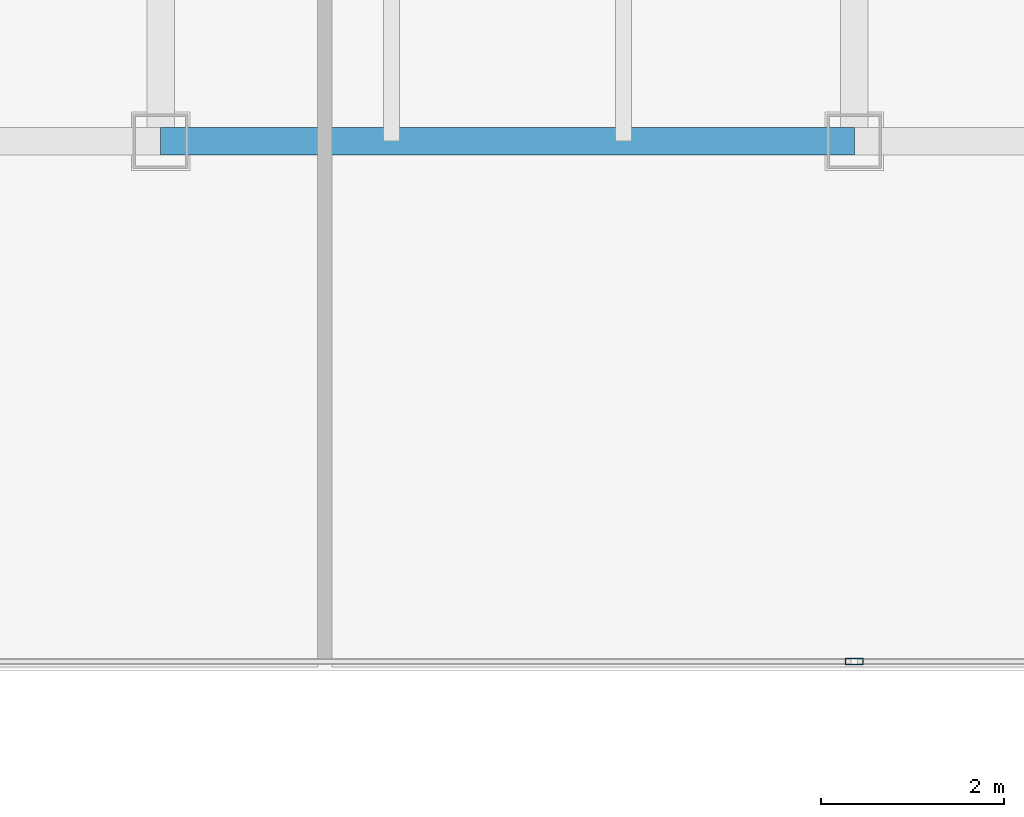
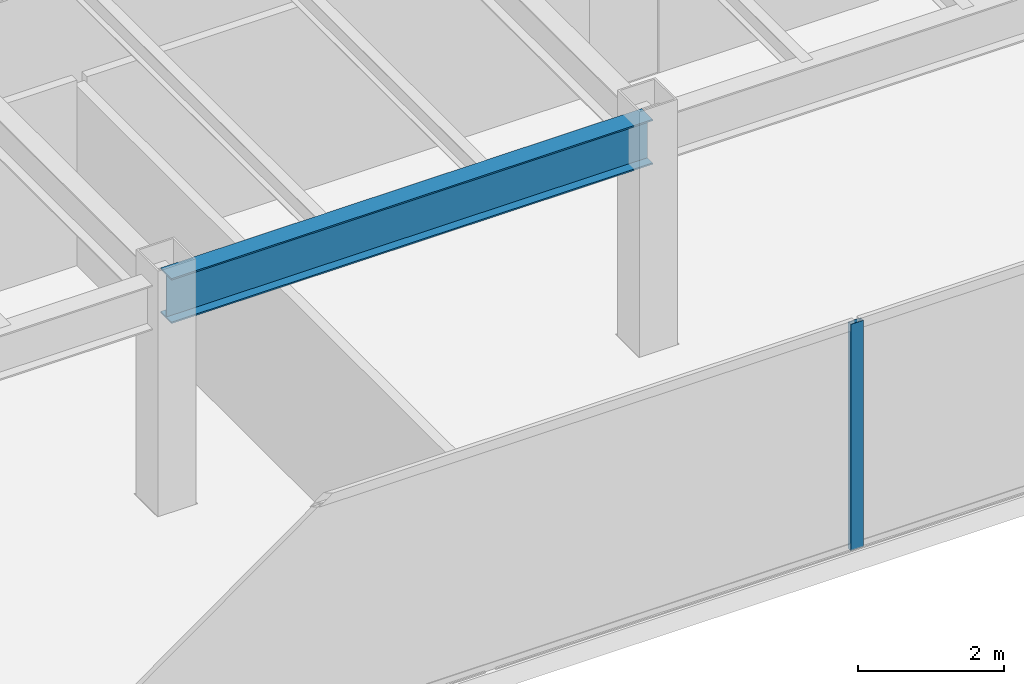
# One storey, part 8 of 37: 1 beam, 1 member, 1 element without a shape of its own.
"""IFC4 building model written with IfcOpenShell, lengths in metres."""

import ifcopenshell
import ifcopenshell.guid

model = None  # the IFC model being written
_history = None  # IfcOwnerHistory: only IFC2X3 demands one
_inside = {}  # id of a spatial element -> (the spatial element, [elements in it])
_under = {}  # id of a project, library or spatial element -> (it, [spatial elements below it])
_declared = {}  # id of a project -> (the project, [libraries it declares])
_typed = {}  # id of a type object -> (the type object, [elements of that type])
_made_of = {}  # id of a material, layer set ... -> (it, [elements and type objects made of it])


def new_model(schema):
    """Start an empty IFC model of exactly this schema.

    Asked for "IFC4X3", IfcOpenShell would pick the latest addendum, in which some entities
    have other attributes; the version numbers below select the first issue.
    IFC2X3 requires an IfcOwnerHistory on every rooted entity: one is made here for all.
    """
    global model, _history
    if schema == "IFC4X3":
        model = ifcopenshell.file(schema_version=(4, 3, 0, 0))
    else:
        model = ifcopenshell.file(schema=schema)
    _inside.clear()
    _under.clear()
    _declared.clear()
    _typed.clear()
    _made_of.clear()
    _history = None
    if model.schema == "IFC2X3":
        org = make("IfcOrganization", Name="unknown")
        user = make(
            "IfcPersonAndOrganization",
            ThePerson=make("IfcPerson", FamilyName="unknown"),
            TheOrganization=org,
        )
        app = make(
            "IfcApplication",
            ApplicationDeveloper=org,
            Version="unknown",
            ApplicationFullName="unknown",
            ApplicationIdentifier="unknown",
        )
        _history = make(
            "IfcOwnerHistory",
            OwningUser=user,
            OwningApplication=app,
            ChangeAction="ADDED",
            CreationDate=0,
        )
    return model


def make(cls, **values):
    """One entity of the class cls with the attributes given. An attribute that is None is left unset."""
    return model.create_entity(
        cls, **{name: value for name, value in values.items() if value is not None}
    )


def rooted(cls, **values):
    """An entity with a GlobalId (a new one), such as an element, a storey or a relation."""
    return make(cls, GlobalId=ifcopenshell.guid.new(), OwnerHistory=_history, **values)


def si_unit(unit_type, name, prefix=None):
    """IfcSIUnit, for example si_unit("LENGTHUNIT", "METRE", prefix="MILLI")."""
    return make("IfcSIUnit", UnitType=unit_type, Prefix=prefix, Name=name)


def assignment(units):
    """IfcUnitAssignment: the units of a project."""
    return None if units is None else make("IfcUnitAssignment", Units=units)


def point(xyz):
    """IfcCartesianPoint."""
    return None if xyz is None else make("IfcCartesianPoint", Coordinates=xyz)


def direction(xyz):
    """IfcDirection."""
    return None if xyz is None else make("IfcDirection", DirectionRatios=xyz)


def frame(location, z_axis=None, x_axis=None):
    """IfcAxis2Placement3D, a coordinate frame: its origin and axes. An axis left out is left unset."""
    return make(
        "IfcAxis2Placement3D",
        Location=point(location),
        Axis=direction(z_axis),
        RefDirection=direction(x_axis),
    )


def frame_2d(location, x_axis=None):
    """IfcAxis2Placement2D, a coordinate frame in the plane: its origin and x axis."""
    return make(
        "IfcAxis2Placement2D", Location=point(location), RefDirection=direction(x_axis)
    )


def origin():
    """The frame at (0, 0, 0) with its axes left unset."""
    return frame((0.0, 0.0, 0.0))


def origin_2d():
    """The frame at (0, 0) in the plane with its x axis left unset."""
    return frame_2d((0.0, 0.0))


def place(relative_to, where):
    """IfcLocalPlacement: puts the frame where relative to a parent placement (None: the world)."""
    return make(
        "IfcLocalPlacement", PlacementRelTo=relative_to, RelativePlacement=where
    )


def context(
    kind, dimensions, precision=None, world=None, true_north=None, identifier=None
):
    """IfcGeometricRepresentationContext, for example the 3D "Model" context."""
    return make(
        "IfcGeometricRepresentationContext",
        ContextIdentifier=identifier,
        ContextType=kind,
        CoordinateSpaceDimension=dimensions,
        Precision=precision,
        WorldCoordinateSystem=world,
        TrueNorth=true_north,
    )


def subcontext(parent, identifier, kind, view, scale=None):
    """IfcGeometricRepresentationSubContext, for example "Body" below "Model"."""
    return make(
        "IfcGeometricRepresentationSubContext",
        ContextIdentifier=identifier,
        ContextType=kind,
        ParentContext=parent,
        TargetScale=scale,
        TargetView=view,
    )


def project(units=None, contexts=None):
    """IfcProject with its units and contexts."""
    return rooted(
        "IfcProject",
        Name="project",
        RepresentationContexts=contexts,
        UnitsInContext=assignment(units),
    )


def spatial(cls, under=None, at=None, **own):
    """A site, building, storey or space (cls), placed at a placement, below another one or the project."""
    s = rooted(cls, ObjectPlacement=at, **own)
    if under is not None:
        _under.setdefault(under.id(), (under, []))[1].append(s)
    return s


def profile(cls, at=None, kind="AREA", **sizes):
    """A parametric profile (cls). Its sizes go by their IFC names, for example OverallWidth=200.0."""
    return make(cls, ProfileType=kind, Position=at, **sizes)


def hollow_rectangle(**sizes):
    """IfcRectangleHollowProfileDef."""
    return profile("IfcRectangleHollowProfileDef", **sizes)


def i_section(**sizes):
    """IfcIShapeProfileDef."""
    return profile("IfcIShapeProfileDef", **sizes)


def extrude(swept, where, along, depth):
    """IfcExtrudedAreaSolid: the profile swept, set in the frame where, extruded along a direction by depth."""
    return make(
        "IfcExtrudedAreaSolid",
        SweptArea=swept,
        Position=where,
        ExtrudedDirection=direction(along),
        Depth=depth,
    )


def shape(context_of_items, identifier, shape_type, items):
    """IfcShapeRepresentation: the items that make up one representation, for example the "Body"."""
    return make(
        "IfcShapeRepresentation",
        ContextOfItems=context_of_items,
        RepresentationIdentifier=identifier,
        RepresentationType=shape_type,
        Items=items,
    )


def source(mapping_origin, context_of_items, identifier, shape_type, items):
    """IfcRepresentationMap: a shape defined once, which mapped items show again and again."""
    return make(
        "IfcRepresentationMap",
        MappingOrigin=mapping_origin,
        MappedRepresentation=shape(context_of_items, identifier, shape_type, items),
    )


def transform(
    local_origin,
    x_axis=None,
    y_axis=None,
    z_axis=None,
    scale=None,
    scale2=None,
    scale3=None,
    uniform=True,
):
    """IfcCartesianTransformationOperator3D, or its non-uniform kind. x_axis, y_axis, z_axis: its Axis1, 2, 3."""
    if uniform:
        return make(
            "IfcCartesianTransformationOperator3D",
            Axis1=direction(x_axis),
            Axis2=direction(y_axis),
            LocalOrigin=point(local_origin),
            Scale=scale,
            Axis3=direction(z_axis),
        )
    return make(
        "IfcCartesianTransformationOperator3DnonUniform",
        Axis1=direction(x_axis),
        Axis2=direction(y_axis),
        LocalOrigin=point(local_origin),
        Scale=scale,
        Axis3=direction(z_axis),
        Scale2=scale2,
        Scale3=scale3,
    )


def mapped(mapping_source, mapping_target):
    """IfcMappedItem: shows the shape of a source again, moved by a transform."""
    return make(
        "IfcMappedItem", MappingSource=mapping_source, MappingTarget=mapping_target
    )


def material(Name=None, Category=None):
    """IfcMaterial."""
    return make("IfcMaterial", Name=Name, Category=Category)


def layer(
    of_material, thickness, ventilated=None, Name=None, Category=None, Priority=None
):
    """IfcMaterialLayer: one layer of a wall or slab, of a material (None: an air gap)."""
    return make(
        "IfcMaterialLayer",
        Material=of_material,
        LayerThickness=thickness,
        IsVentilated=ventilated,
        Name=Name,
        Category=Category,
        Priority=Priority,
    )


def layer_set(layers, Name=None):
    """IfcMaterialLayerSet."""
    return make("IfcMaterialLayerSet", MaterialLayers=layers, LayerSetName=Name)


def material_profile(
    of_material, cross_section, Name=None, Category=None, Priority=None
):
    """IfcMaterialProfile: a cross section and its material."""
    return make(
        "IfcMaterialProfile",
        Name=Name,
        Material=of_material,
        Profile=cross_section,
        Priority=Priority,
        Category=Category,
    )


def profile_set(profiles, Name=None, composite=None):
    """IfcMaterialProfileSet."""
    return make(
        "IfcMaterialProfileSet",
        Name=Name,
        MaterialProfiles=profiles,
        CompositeProfile=composite,
    )


def made_of(thing, what):
    """Note that an element or type object is made of a material, layer set ...; save() writes the relation."""
    if what is not None:
        _made_of.setdefault(what.id(), (what, []))[1].append(thing)
    return thing


def type_object(cls, material=None, **own):
    """A type object (cls), such as IfcWallType, which elements share."""
    return made_of(rooted(cls, **own), material)


def type_shapes(of_type, sources):
    """Give a type object the sources (RepresentationMaps) that its elements show as mapped items."""
    of_type.RepresentationMaps = sources


def element(
    cls,
    number,
    at=None,
    inside=None,
    cuts=None,
    type_object=None,
    material=None,
    context=None,
    identifier="Body",
    shape_type=None,
    held_by="IfcProductDefinitionShape",
    body=None,
    shapes=None,
    **own,
):
    """One element of the class cls, such as IfcWall. Its Tag is "e" and its number.

    at: its placement. inside: the storey or other place that contains it. cuts: it is an
    opening in that element (IfcRelVoidsElement). A single representation is given by context,
    identifier, shape_type and body (its items); several are given by shapes. held_by: the class
    of the entity that holds the representations. save() writes the other relations.
    """
    e = rooted(cls, Tag="e%d" % number, ObjectPlacement=at, **own)
    if body is not None:
        shapes = [shape(context, identifier, shape_type, body)]
    if shapes is not None:
        e.Representation = make(held_by, Representations=shapes)
    if inside is not None:
        _inside.setdefault(inside.id(), (inside, []))[1].append(e)
    if cuts is not None:
        rooted(
            "IfcRelVoidsElement", RelatingBuildingElement=cuts, RelatedOpeningElement=e
        )
    if type_object is not None:
        _typed.setdefault(type_object.id(), (type_object, []))[1].append(e)
    return made_of(e, material)


def aggregate(whole, parts):
    """IfcRelAggregates: a whole, such as a stair, and the parts it consists of."""
    return rooted("IfcRelAggregates", RelatingObject=whole, RelatedObjects=parts)


def save(model, path):
    """Write the relations noted so far, then the file.

    IfcRelAggregates (storeys below a building ...), IfcRelContainedInSpatialStructure (elements
    in a storey), IfcRelDefinesByType, IfcRelAssociatesMaterial and IfcRelDeclares: one each for
    every whole, place, type object, material and project.
    """
    for whole, parts in _under.values():
        aggregate(whole, parts)
    for where, things in _inside.values():
        rooted(
            "IfcRelContainedInSpatialStructure",
            RelatedElements=things,
            RelatingStructure=where,
        )
    for kind, things in _typed.values():
        rooted("IfcRelDefinesByType", RelatedObjects=things, RelatingType=kind)
    for what, things in _made_of.values():
        rooted("IfcRelAssociatesMaterial", RelatedObjects=things, RelatingMaterial=what)
    for by, libraries in _declared.values():
        rooted("IfcRelDeclares", RelatingContext=by, RelatedDefinitions=libraries)
    model.write(path)


model = new_model("IFC4")

# Units and contexts
model_context = context("Model", 3, precision=1e-05, world=origin(), true_north=direction((0.0, 1.0)))
body_context = subcontext(model_context, "Body", "Model", "MODEL_VIEW")
ifc_project = project(units=[si_unit("LENGTHUNIT", "METRE"), si_unit("AREAUNIT", "SQUARE_METRE"), si_unit("VOLUMEUNIT", "CUBIC_METRE"), si_unit("PLANEANGLEUNIT", "RADIAN"), si_unit("MASSUNIT", "GRAM", prefix="KILO")], contexts=[model_context])

# Site, building, storey
site_placement = place(None, origin())
site = spatial("IfcSite", under=ifc_project, at=site_placement, CompositionType="ELEMENT")
building_placement = place(site_placement, origin())
building = spatial("IfcBuilding", under=site, at=building_placement, Name="Haelvirn Gate Laboratories", CompositionType="ELEMENT")
storey_placement = place(building_placement, frame((0.0, 0.0, 78.5)))
storey = spatial("IfcBuildingStorey", under=building, at=storey_placement, Name="L19", CompositionType="ELEMENT", Elevation=78.5)

# Beam
ifc_material_1 = material(Name="Steel SM355", Category="steel")
ifc_material_profile_1 = material_profile(ifc_material_1, i_section(OverallWidth=0.300048828125, OverallDepth=0.75, WebThickness=0.013916015625, FlangeThickness=0.02392578125, at=origin_2d()), Name="H-750x300x14x24")
ifc_profile_set_1 = profile_set([ifc_material_profile_1], Name="Steel SM355")
beam_type = type_object("IfcBeamType", Name="BM-G-750", PredefinedType="BEAM", material=ifc_profile_set_1)
shared_shape_1 = source(origin(), body_context, "Body", "SweptSolid", [
    extrude(i_section(OverallWidth=0.300048828125, OverallDepth=0.75, WebThickness=0.013916015625, FlangeThickness=0.02392578125, at=origin_2d()), origin(), (0.0, 0.0, 1.0), 7.599853515625),
])
type_shapes(beam_type, [shared_shape_1])
beam_placement = place(storey_placement, frame((29.800048828125, 7.0, 3.405029296875), z_axis=(1.0, 0.0, 0.0), x_axis=(0.0, 1.0, 0.0)))
element("IfcBeam", 1, at=beam_placement, inside=storey, type_object=beam_type, Name="L19 Primary Girder Y7.0 (29.8-37.4)", PredefinedType="BEAM", context=body_context, shape_type="MappedRepresentation", body=[
    mapped(shared_shape_1, transform((0.0, 0.0, 0.0), scale=1.0)),
])

# Curtain wall, member
ifc_material_2 = material(Name="Anodised bronze unitised aluminium & triple low-E glass", Category="aluminium")
ifc_layer = layer(ifc_material_2, 0.18408203125, Name="CW-SYS-2")
ifc_layer_set = layer_set([ifc_layer], Name="Anodised bronze unitised aluminium & triple low-E glass")
curtain_wall_type = type_object("IfcCurtainWallType", Name="CW-SYS-2", PredefinedType="NOTDEFINED", material=ifc_layer_set)
curtain_wall_placement = place(storey_placement, origin())
curtain_wall = element("IfcCurtainWall", 2, at=curtain_wall_placement, inside=storey, type_object=curtain_wall_type, Name="L19 Unitised Curtain Wall CW-L19-P0-E02-1", PredefinedType="NOTDEFINED")
ifc_material_3 = material(Name="Extruded aluminium 6063-T6 (anodised bronze)", Category="aluminium")
ifc_material_profile_2 = material_profile(ifc_material_3, hollow_rectangle(XDim=0.074951171875, YDim=0.199951171875, WallThickness=0.0048828125, at=origin_2d()), Name="CWM-200x75x5")
ifc_profile_set_2 = profile_set([ifc_material_profile_2], Name="Extruded aluminium 6063-T6 (anodised bronze)")
member_type = type_object("IfcMemberType", Name="CWM-T200", PredefinedType="MULLION", material=ifc_profile_set_2)
shared_shape_2 = source(origin(), body_context, "Body", "SweptSolid", [
    extrude(hollow_rectangle(XDim=0.074951171875, YDim=0.199951171875, WallThickness=0.0048828125, at=origin_2d()), origin(), (0.0, 0.0, 1.0), 3.780029296875),
])
type_shapes(member_type, [shared_shape_2])
member_placement = place(storey_placement, frame((37.39990234375, 1.300048828125, 0.0), z_axis=(0.0, 0.0, 1.0), x_axis=(0.0, 1.0, 0.0)))
member = element("IfcMember", 3, at=member_placement, type_object=member_type, Name="CW2 mullion 2", PredefinedType="MULLION", context=body_context, shape_type="MappedRepresentation", body=[
    mapped(shared_shape_2, transform((0.0, 0.0, 0.0), scale=1.0)),
])
aggregate(curtain_wall, [member])

save(model, "model.ifc")
